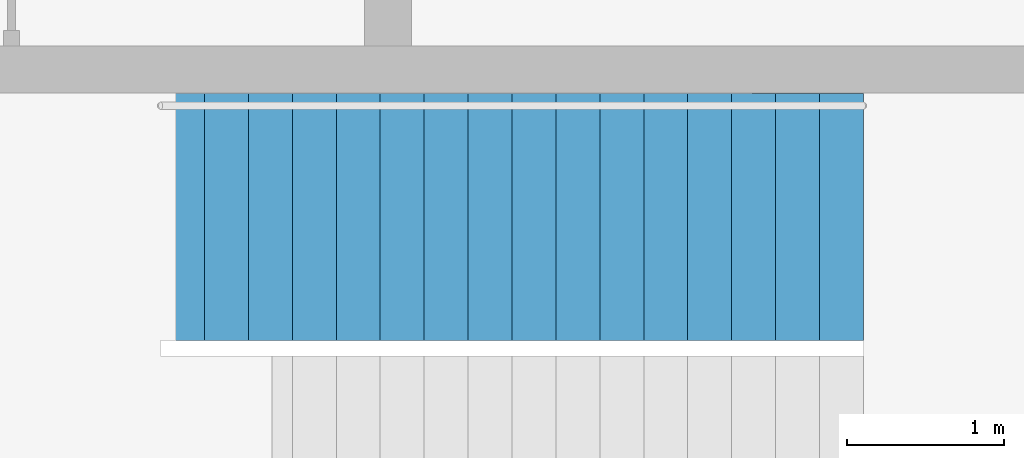
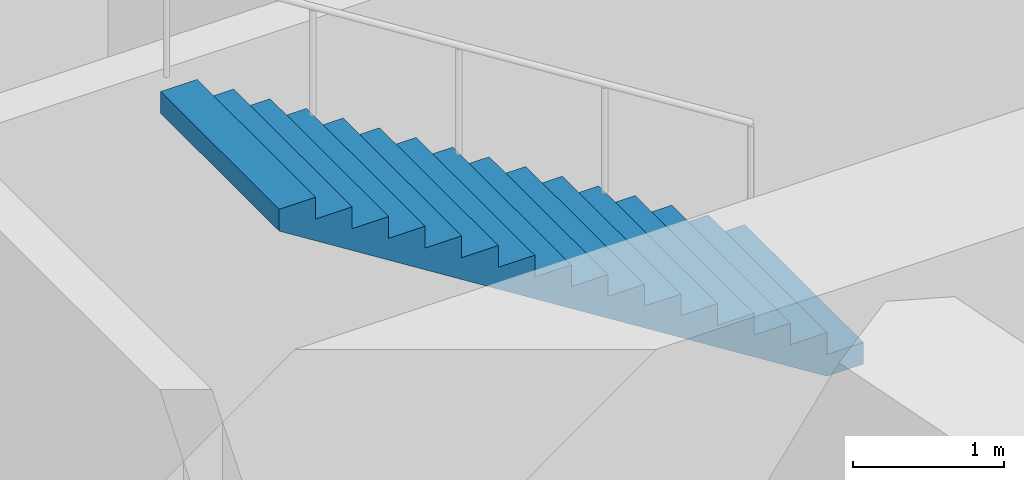
# One storey, part 9 of 12: 1 stair flight, 1 element without a shape of its own.
"""IFC4 building model written with IfcOpenShell, lengths in metres."""

from ifc_helpers import new_model, si_unit, direction, frame, origin, place, context, subcontext, project, spatial, polyline, outline, extrude, material, type_object, element, aggregate, save


model = new_model("IFC4")

# Units and contexts
model_context = context("Model", 3, precision=1e-05, world=origin(), true_north=direction((0.0, 1.0)))
body_context = subcontext(model_context, "Body", "Model", "MODEL_VIEW")
ifc_project = project(units=[si_unit("LENGTHUNIT", "METRE"), si_unit("AREAUNIT", "SQUARE_METRE"), si_unit("VOLUMEUNIT", "CUBIC_METRE"), si_unit("PLANEANGLEUNIT", "RADIAN"), si_unit("MASSUNIT", "GRAM", prefix="KILO")], contexts=[model_context])

# Site, building, storey
site_placement = place(None, origin())
site = spatial("IfcSite", under=ifc_project, at=site_placement, CompositionType="ELEMENT")
building_placement = place(site_placement, origin())
building = spatial("IfcBuilding", under=site, at=building_placement, Name="Qingtian Harvest Tower", CompositionType="ELEMENT")
storey_placement = place(building_placement, frame((0.0, 0.0, 256.0)))
storey = spatial("IfcBuildingStorey", under=building, at=storey_placement, Name="L56", CompositionType="ELEMENT", Elevation=256.0)

# Stair, stair flight
ifc_material_1 = material(Name="Concrete fc' 35 MPa", Category="concrete")
stair_type = type_object("IfcStairType", Name="Special stair ST5 6000", PredefinedType="HALF_TURN_STAIR", material=ifc_material_1)
stair_placement = place(storey_placement, origin())
stair = element("IfcStair", 1, at=stair_placement, inside=storey, type_object=stair_type, Name="Special stair S2 L56", PredefinedType="HALF_TURN_STAIR")
ifc_material_2 = material(Name="Concrete fc' 35 MPa", Category="concrete")
stair_flight_type = type_object("IfcStairFlightType", Name="Stair flight SF5 6000", PredefinedType="STRAIGHT", material=ifc_material_2)
stair_flight_placement = place(storey_placement, frame((9.030029296875, -5.9375, 3.0), z_axis=(0.0, 0.0, 1.0), x_axis=(-1.0, 0.0, 0.0)))
stair_flight = element("IfcStairFlight", 2, at=stair_flight_placement, type_object=stair_flight_type, Name="S2 flight 2", NumberOfRisers=17, NumberOfTreads=16, PredefinedType="STRAIGHT", RiserHeight=0.176470588, TreadLength=0.28, context=body_context, shape_type="SweptSolid", body=[
    extrude(outline(polyline([(0.0, 0.0), (0.0, 0.176513671875), (0.280029296875, 0.176513671875), (0.280029296875, 0.35302734375), (0.56005859375, 0.35302734375), (0.56005859375, 0.529296875), (0.840087890625, 0.529296875), (0.840087890625, 0.705810546875), (1.1201171875, 0.705810546875), (1.1201171875, 0.88232421875), (1.39990234375, 0.88232421875), (1.39990234375, 1.058837890625), (1.679931640625, 1.058837890625), (1.679931640625, 1.2353515625), (1.9599609375, 1.2353515625), (1.9599609375, 1.411865234375), (2.239990234375, 1.411865234375), (2.239990234375, 1.588134765625), (2.52001953125, 1.588134765625), (2.52001953125, 1.7646484375), (2.800048828125, 1.7646484375), (2.800048828125, 1.941162109375), (3.080078125, 1.941162109375), (3.080078125, 2.11767578125), (3.360107421875, 2.11767578125), (3.360107421875, 2.294189453125), (3.639892578125, 2.294189453125), (3.639892578125, 2.470703125), (3.919921875, 2.470703125), (3.919921875, 2.64697265625), (4.199951171875, 2.64697265625), (4.199951171875, 2.823486328125), (4.47998046875, 2.823486328125), (4.47998046875, 3.0), (4.47998046875, 2.646240234375), (0.28125, 0.0), (0.0, 0.0)])), frame((0.0, 0.78759765625, 0.0), z_axis=(0.0, -1.0, 0.0), x_axis=(1.0, 0.0, 0.0)), (0.0, 0.0, 1.0), 1.574951171875),
])
aggregate(stair, [stair_flight])

save(model, "model.ifc")
